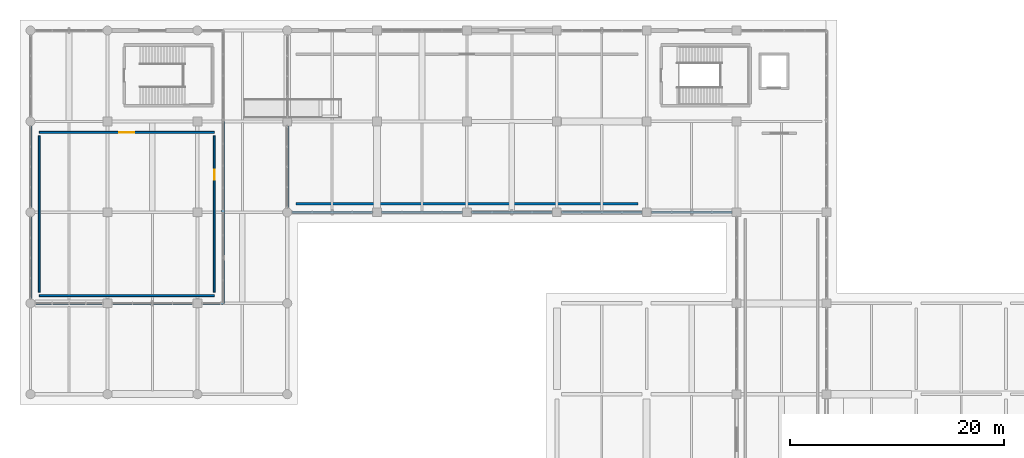
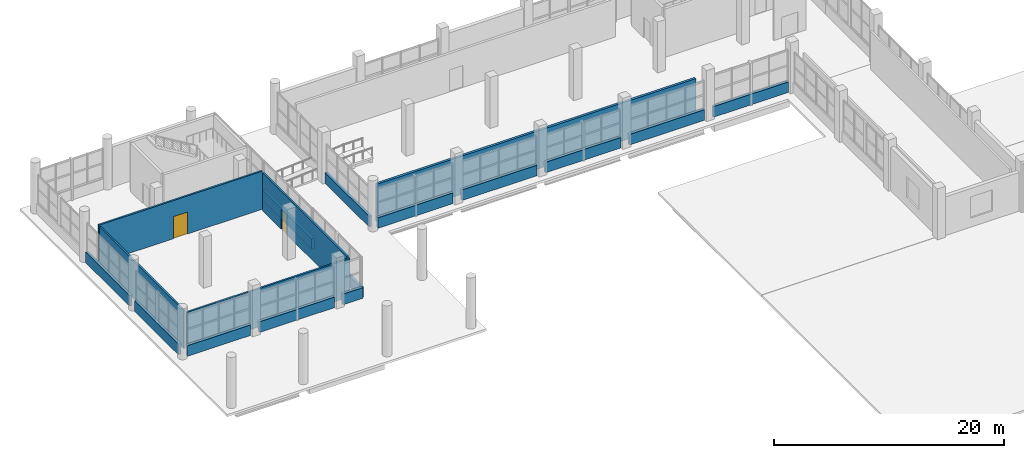
# One storey, part 88 of 107: 18 walls, 2 doors, 2 openings.
"""IFC4 building model written with IfcOpenShell, lengths in metres."""

import ifcopenshell
import ifcopenshell.guid

model = None  # the IFC model being written
_history = None  # IfcOwnerHistory: only IFC2X3 demands one
_inside = {}  # id of a spatial element -> (the spatial element, [elements in it])
_under = {}  # id of a project, library or spatial element -> (it, [spatial elements below it])
_declared = {}  # id of a project -> (the project, [libraries it declares])
_typed = {}  # id of a type object -> (the type object, [elements of that type])
_made_of = {}  # id of a material, layer set ... -> (it, [elements and type objects made of it])


def new_model(schema):
    """Start an empty IFC model of exactly this schema.

    Asked for "IFC4X3", IfcOpenShell would pick the latest addendum, in which some entities
    have other attributes; the version numbers below select the first issue.
    IFC2X3 requires an IfcOwnerHistory on every rooted entity: one is made here for all.
    """
    global model, _history
    if schema == "IFC4X3":
        model = ifcopenshell.file(schema_version=(4, 3, 0, 0))
    else:
        model = ifcopenshell.file(schema=schema)
    _inside.clear()
    _under.clear()
    _declared.clear()
    _typed.clear()
    _made_of.clear()
    _history = None
    if model.schema == "IFC2X3":
        org = make("IfcOrganization", Name="unknown")
        user = make(
            "IfcPersonAndOrganization",
            ThePerson=make("IfcPerson", FamilyName="unknown"),
            TheOrganization=org,
        )
        app = make(
            "IfcApplication",
            ApplicationDeveloper=org,
            Version="unknown",
            ApplicationFullName="unknown",
            ApplicationIdentifier="unknown",
        )
        _history = make(
            "IfcOwnerHistory",
            OwningUser=user,
            OwningApplication=app,
            ChangeAction="ADDED",
            CreationDate=0,
        )
    return model


def make(cls, **values):
    """One entity of the class cls with the attributes given. An attribute that is None is left unset."""
    return model.create_entity(
        cls, **{name: value for name, value in values.items() if value is not None}
    )


def rooted(cls, **values):
    """An entity with a GlobalId (a new one), such as an element, a storey or a relation."""
    return make(cls, GlobalId=ifcopenshell.guid.new(), OwnerHistory=_history, **values)


def si_unit(unit_type, name, prefix=None):
    """IfcSIUnit, for example si_unit("LENGTHUNIT", "METRE", prefix="MILLI")."""
    return make("IfcSIUnit", UnitType=unit_type, Prefix=prefix, Name=name)


def assignment(units):
    """IfcUnitAssignment: the units of a project."""
    return None if units is None else make("IfcUnitAssignment", Units=units)


def point(xyz):
    """IfcCartesianPoint."""
    return None if xyz is None else make("IfcCartesianPoint", Coordinates=xyz)


def direction(xyz):
    """IfcDirection."""
    return None if xyz is None else make("IfcDirection", DirectionRatios=xyz)


def frame(location, z_axis=None, x_axis=None):
    """IfcAxis2Placement3D, a coordinate frame: its origin and axes. An axis left out is left unset."""
    return make(
        "IfcAxis2Placement3D",
        Location=point(location),
        Axis=direction(z_axis),
        RefDirection=direction(x_axis),
    )


def frame_2d(location, x_axis=None):
    """IfcAxis2Placement2D, a coordinate frame in the plane: its origin and x axis."""
    return make(
        "IfcAxis2Placement2D", Location=point(location), RefDirection=direction(x_axis)
    )


def origin():
    """The frame at (0, 0, 0) with its axes left unset."""
    return frame((0.0, 0.0, 0.0))


def place(relative_to, where):
    """IfcLocalPlacement: puts the frame where relative to a parent placement (None: the world)."""
    return make(
        "IfcLocalPlacement", PlacementRelTo=relative_to, RelativePlacement=where
    )


def context(
    kind, dimensions, precision=None, world=None, true_north=None, identifier=None
):
    """IfcGeometricRepresentationContext, for example the 3D "Model" context."""
    return make(
        "IfcGeometricRepresentationContext",
        ContextIdentifier=identifier,
        ContextType=kind,
        CoordinateSpaceDimension=dimensions,
        Precision=precision,
        WorldCoordinateSystem=world,
        TrueNorth=true_north,
    )


def subcontext(parent, identifier, kind, view, scale=None):
    """IfcGeometricRepresentationSubContext, for example "Body" below "Model"."""
    return make(
        "IfcGeometricRepresentationSubContext",
        ContextIdentifier=identifier,
        ContextType=kind,
        ParentContext=parent,
        TargetScale=scale,
        TargetView=view,
    )


def project(units=None, contexts=None):
    """IfcProject with its units and contexts."""
    return rooted(
        "IfcProject",
        Name="project",
        RepresentationContexts=contexts,
        UnitsInContext=assignment(units),
    )


def spatial(cls, under=None, at=None, **own):
    """A site, building, storey or space (cls), placed at a placement, below another one or the project."""
    s = rooted(cls, ObjectPlacement=at, **own)
    if under is not None:
        _under.setdefault(under.id(), (under, []))[1].append(s)
    return s


def profile(cls, at=None, kind="AREA", **sizes):
    """A parametric profile (cls). Its sizes go by their IFC names, for example OverallWidth=200.0."""
    return make(cls, ProfileType=kind, Position=at, **sizes)


def rectangle(**sizes):
    """IfcRectangleProfileDef."""
    return profile("IfcRectangleProfileDef", **sizes)


def extrude(swept, where, along, depth):
    """IfcExtrudedAreaSolid: the profile swept, set in the frame where, extruded along a direction by depth."""
    return make(
        "IfcExtrudedAreaSolid",
        SweptArea=swept,
        Position=where,
        ExtrudedDirection=direction(along),
        Depth=depth,
    )


def shape(context_of_items, identifier, shape_type, items):
    """IfcShapeRepresentation: the items that make up one representation, for example the "Body"."""
    return make(
        "IfcShapeRepresentation",
        ContextOfItems=context_of_items,
        RepresentationIdentifier=identifier,
        RepresentationType=shape_type,
        Items=items,
    )


def material(Name=None, Category=None):
    """IfcMaterial."""
    return make("IfcMaterial", Name=Name, Category=Category)


def layer(
    of_material, thickness, ventilated=None, Name=None, Category=None, Priority=None
):
    """IfcMaterialLayer: one layer of a wall or slab, of a material (None: an air gap)."""
    return make(
        "IfcMaterialLayer",
        Material=of_material,
        LayerThickness=thickness,
        IsVentilated=ventilated,
        Name=Name,
        Category=Category,
        Priority=Priority,
    )


def layer_set(layers, Name=None):
    """IfcMaterialLayerSet."""
    return make("IfcMaterialLayerSet", MaterialLayers=layers, LayerSetName=Name)


def made_of(thing, what):
    """Note that an element or type object is made of a material, layer set ...; save() writes the relation."""
    if what is not None:
        _made_of.setdefault(what.id(), (what, []))[1].append(thing)
    return thing


def type_object(cls, material=None, **own):
    """A type object (cls), such as IfcWallType, which elements share."""
    return made_of(rooted(cls, **own), material)


def element(
    cls,
    number,
    at=None,
    inside=None,
    cuts=None,
    type_object=None,
    material=None,
    context=None,
    identifier="Body",
    shape_type=None,
    held_by="IfcProductDefinitionShape",
    body=None,
    shapes=None,
    **own,
):
    """One element of the class cls, such as IfcWall. Its Tag is "e" and its number.

    at: its placement. inside: the storey or other place that contains it. cuts: it is an
    opening in that element (IfcRelVoidsElement). A single representation is given by context,
    identifier, shape_type and body (its items); several are given by shapes. held_by: the class
    of the entity that holds the representations. save() writes the other relations.
    """
    e = rooted(cls, Tag="e%d" % number, ObjectPlacement=at, **own)
    if body is not None:
        shapes = [shape(context, identifier, shape_type, body)]
    if shapes is not None:
        e.Representation = make(held_by, Representations=shapes)
    if inside is not None:
        _inside.setdefault(inside.id(), (inside, []))[1].append(e)
    if cuts is not None:
        rooted(
            "IfcRelVoidsElement", RelatingBuildingElement=cuts, RelatedOpeningElement=e
        )
    if type_object is not None:
        _typed.setdefault(type_object.id(), (type_object, []))[1].append(e)
    return made_of(e, material)


def fill(opening, filler):
    """IfcRelFillsElement: the door or window that sits in an opening."""
    return rooted(
        "IfcRelFillsElement",
        RelatingOpeningElement=opening,
        RelatedBuildingElement=filler,
    )


def aggregate(whole, parts):
    """IfcRelAggregates: a whole, such as a stair, and the parts it consists of."""
    return rooted("IfcRelAggregates", RelatingObject=whole, RelatedObjects=parts)


def save(model, path):
    """Write the relations noted so far, then the file.

    IfcRelAggregates (storeys below a building ...), IfcRelContainedInSpatialStructure (elements
    in a storey), IfcRelDefinesByType, IfcRelAssociatesMaterial and IfcRelDeclares: one each for
    every whole, place, type object, material and project.
    """
    for whole, parts in _under.values():
        aggregate(whole, parts)
    for where, things in _inside.values():
        rooted(
            "IfcRelContainedInSpatialStructure",
            RelatedElements=things,
            RelatingStructure=where,
        )
    for kind, things in _typed.values():
        rooted("IfcRelDefinesByType", RelatedObjects=things, RelatingType=kind)
    for what, things in _made_of.values():
        rooted("IfcRelAssociatesMaterial", RelatedObjects=things, RelatingMaterial=what)
    for by, libraries in _declared.values():
        rooted("IfcRelDeclares", RelatingContext=by, RelatedDefinitions=libraries)
    model.write(path)


model = new_model("IFC4")

# Units and contexts
model_context = context("Model", 3, precision=1e-05, world=origin(), true_north=direction((0.0, 1.0)))
body_context = subcontext(model_context, "Body", "Model", "MODEL_VIEW")
ifc_project = project(units=[si_unit("LENGTHUNIT", "METRE"), si_unit("AREAUNIT", "SQUARE_METRE"), si_unit("VOLUMEUNIT", "CUBIC_METRE"), si_unit("PLANEANGLEUNIT", "RADIAN"), si_unit("MASSUNIT", "GRAM", prefix="KILO")], contexts=[model_context])

# Site, building, storey
site_placement = place(None, origin())
site = spatial("IfcSite", under=ifc_project, at=site_placement, CompositionType="ELEMENT")
building_placement = place(site_placement, origin())
building = spatial("IfcBuilding", under=site, at=building_placement, Name="Solvento Point Concert Hall", CompositionType="ELEMENT")
storey_placement = place(building_placement, origin())
storey = spatial("IfcBuildingStorey", under=building, at=storey_placement, Name="L00", CompositionType="ELEMENT", Elevation=0.0)

# Wall, opening, door
ifc_material_1 = material(Name="Acoustic Double-Stud Gypsum Partition")
ifc_layer_1 = layer(ifc_material_1, 0.179931640625)
ifc_layer_set_1 = layer_set([ifc_layer_1], Name="Acoustic Double-Stud Gypsum Partition")
wall_type_1 = type_object("IfcWallType", Name="AcousticPartition_180", PredefinedType="PARTITIONING", material=ifc_layer_set_1)
wall_1_placement = place(storey_placement, frame((0.820068359375, 126.47998046875, 0.0), z_axis=(0.0, 0.0, 1.0), x_axis=(1.0, 0.0, 0.0)))
wall_1 = element("IfcWall", 1, at=wall_1_placement, inside=storey, type_object=wall_type_1, Name="Interior acoustic partition PW-63 L00", PredefinedType="PARTITIONING", context=body_context, shape_type="SweptSolid", body=[
    extrude(rectangle(XDim=16.35986328125, YDim=0.179931640625, at=frame_2d((8.179931640625, 0.0))), origin(), (0.0, 0.0, 1.0), 4.0400390625),
])
opening_1_placement = place(wall_1_placement, frame((7.469970703125, 0.0, 0.0)))
opening_1 = element("IfcOpeningElement", 2, at=opening_1_placement, cuts=wall_1, Name="Opening DR-81", PredefinedType="OPENING", context=body_context, shape_type="SweptSolid", body=[
    extrude(rectangle(XDim=1.419921875, YDim=2.340087890625, at=frame_2d((0.7099609375, 1.169921875))), frame((0.0, 0.099853515625, 0.0), z_axis=(0.0, -1.0, 0.0), x_axis=(1.0, 0.0, 0.0)), (0.0, 0.0, 1.0), 0.199951171875),
])
ifc_material_2 = material(Name="Brazilian Hardwood Acoustic Door", Category="wood")
door_type_1 = type_object("IfcDoorType", Name="IntDoor_CanteenGreenRm", OperationType="NOTDEFINED", PredefinedType="DOOR", material=ifc_material_2)
door_1_placement = place(opening_1_placement, origin())
door_1 = element("IfcDoor", 3, at=door_1_placement, inside=storey, type_object=door_type_1, Name="Interior door DR-81 L00", OperationType="SINGLE_SWING_RIGHT", OverallHeight=2.340087890625, OverallWidth=1.419921875, PredefinedType="DOOR", context=body_context, shape_type="SweptSolid", body=[
    extrude(rectangle(XDim=1.419921875, YDim=2.340087890625, at=frame_2d((0.7099609375, 1.169921875))), frame((0.0, 0.02490234375, 0.0), z_axis=(0.0, -1.0, 0.0), x_axis=(1.0, 0.0, 0.0)), (0.0, 0.0, 1.0), 0.050048828125),
])
fill(opening_1, door_1)

# Wall
wall_2_placement = place(storey_placement, frame((17.179931640625, 111.219970703125, 0.0), z_axis=(0.0, 0.0, 1.0), x_axis=(-1.0, 0.0, 0.0)))
element("IfcWall", 4, at=wall_2_placement, inside=storey, type_object=wall_type_1, Name="Interior acoustic partition PW-63 L00", PredefinedType="PARTITIONING", context=body_context, shape_type="SweptSolid", body=[
    extrude(rectangle(XDim=16.35986328125, YDim=0.179931640625, at=frame_2d((8.179931640625, 0.0))), origin(), (0.0, 0.0, 1.0), 4.0400390625),
])

# Wall, opening, door
wall_3_placement = place(storey_placement, frame((17.179931640625, 126.159912109375, 0.0), z_axis=(0.0, 0.0, 1.0), x_axis=(0.0, -1.0, 0.0)))
wall_3 = element("IfcWall", 5, at=wall_3_placement, inside=storey, type_object=wall_type_1, Name="Interior acoustic partition PW-63 L00", PredefinedType="PARTITIONING", context=body_context, shape_type="SweptSolid", body=[
    extrude(rectangle(XDim=14.619873046875, YDim=0.179931640625, at=frame_2d((7.31005859375, 0.0))), origin(), (0.0, 0.0, 1.0), 4.0400390625),
])
opening_2_placement = place(wall_3_placement, frame((3.199951171875, 0.0, 0.0)))
opening_2 = element("IfcOpeningElement", 6, at=opening_2_placement, cuts=wall_3, Name="Opening DR-46", PredefinedType="OPENING", context=body_context, shape_type="SweptSolid", body=[
    extrude(rectangle(XDim=0.919921875, YDim=2.1201171875, at=frame_2d((0.4599609375, 1.06005859375))), frame((0.0, 0.099853515625, 0.0), z_axis=(0.0, -1.0, 0.0), x_axis=(1.0, 0.0, 0.0)), (0.0, 0.0, 1.0), 0.199951171875),
])
ifc_material_3 = material(Name="Brazilian Hardwood Acoustic Door", Category="wood")
door_type_2 = type_object("IfcDoorType", Name="IntDoor_AccessibleWC", OperationType="NOTDEFINED", PredefinedType="DOOR", material=ifc_material_3)
door_2_placement = place(opening_2_placement, origin())
door_2 = element("IfcDoor", 7, at=door_2_placement, inside=storey, type_object=door_type_2, Name="Interior door DR-46 L00", OperationType="SINGLE_SWING_LEFT", OverallHeight=2.1201171875, OverallWidth=0.919921875, PredefinedType="DOOR", context=body_context, shape_type="SweptSolid", body=[
    extrude(rectangle(XDim=0.919921875, YDim=2.1201171875, at=frame_2d((0.4599609375, 1.06005859375))), frame((0.0, 0.02490234375, 0.0), z_axis=(0.0, -1.0, 0.0), x_axis=(1.0, 0.0, 0.0)), (0.0, 0.0, 1.0), 0.050048828125),
])
fill(opening_2, door_2)

# Walls
wall_4_placement = place(storey_placement, frame((0.820068359375, 111.5400390625, 0.0), z_axis=(0.0, 0.0, 1.0), x_axis=(0.0, 1.0, 0.0)))
element("IfcWall", 8, at=wall_4_placement, inside=storey, type_object=wall_type_1, Name="Interior acoustic partition PW-63 L00", PredefinedType="PARTITIONING", context=body_context, shape_type="SweptSolid", body=[
    extrude(rectangle(XDim=14.619873046875, YDim=0.179931640625, at=frame_2d((7.31005859375, 0.0))), origin(), (0.0, 0.0, 1.0), 4.0400390625),
])
ifc_material_4 = material(Name="Acoustic Double-Stud Gypsum Partition")
ifc_layer_2 = layer(ifc_material_4, 0.2451171875)
ifc_layer_set_2 = layer_set([ifc_layer_2], Name="Acoustic Double-Stud Gypsum Partition")
wall_type_2 = type_object("IfcWallType", Name="AcousticPartition_245", PredefinedType="PARTITIONING", material=ifc_layer_set_2)
wall_5_placement = place(storey_placement, frame((56.780029296875, 119.820068359375, 0.0), z_axis=(0.0, 0.0, 1.0), x_axis=(-1.0, 0.0, 0.0)))
element("IfcWall", 9, at=wall_5_placement, inside=storey, type_object=wall_type_2, Name="Interior acoustic partition PW-28 L00", PredefinedType="PARTITIONING", context=body_context, shape_type="SweptSolid", body=[
    extrude(rectangle(XDim=31.9599609375, YDim=0.2451171875, at=frame_2d((15.97998046875, 0.0))), origin(), (0.0, 0.0, 1.0), 4.0400390625),
])
ifc_material_5 = material(Name="Concrete C40/50", Category="concrete")
ifc_layer_3 = layer(ifc_material_5, 0.260009765625)
ifc_layer_set_3 = layer_set([ifc_layer_3], Name="Concrete C40/50")
wall_type_3 = type_object("IfcWallType", Name="Parapet_Ring_260", PredefinedType="PARAPET", material=ifc_layer_set_3)
wall_6_placement = place(storey_placement, frame((31.969970703125, 119.0, 0.0), z_axis=(0.0, 0.0, 1.0), x_axis=(-1.0, 0.0, 0.0)))
element("IfcWall", 10, at=wall_6_placement, inside=storey, type_object=wall_type_3, Name="Sliding elliptical white concrete ring spandrel PR-01 L00", PredefinedType="PARAPET", context=body_context, shape_type="SweptSolid", body=[
    extrude(rectangle(XDim=7.52490234375, YDim=0.260009765625, at=frame_2d((3.762451171875, 0.0))), origin(), (0.0, 0.0, 1.0), 1.1201171875),
])
for number, where, z_axis, x_axis, name in (
    (11, (40.3701171875, 119.0, 0.0), (0.0, 0.0, 1.0), (-1.0, 0.0, 0.0), "Sliding elliptical white concrete ring spandrel PR-01 L00"),
    (12, (48.77001953125, 119.0, 0.0), (0.0, 0.0, 1.0), (-1.0, 0.0, 0.0), "Sliding elliptical white concrete ring spandrel PR-01 L00"),
    (13, (57.169921875, 119.0, 0.0), (0.0, 0.0, 1.0), (-1.0, 0.0, 0.0), "Sliding elliptical white concrete ring spandrel PR-01 L00"),
    (14, (65.570068359375, 119.0, 0.0), (0.0, 0.0, 1.0), (-1.0, 0.0, 0.0), "Sliding elliptical white concrete ring spandrel PR-01 L00"),
):
    element("IfcWall", number, at=place(storey_placement, frame(where, z_axis=z_axis, x_axis=x_axis)), inside=storey, type_object=wall_type_3, Name=name, PredefinedType="PARAPET", context=body_context, shape_type="SweptSolid", body=[
        extrude(rectangle(XDim=7.5400390625, YDim=0.260009765625, at=frame_2d((3.77001953125, 0.0))), origin(), (0.0, 0.0, 1.0), 1.1201171875),
    ])
wall_7_placement = place(storey_placement, frame((24.0, 119.445068359375, 0.0), z_axis=(0.0, 0.0, 1.0), x_axis=(0.0, 1.0, 0.0)))
element("IfcWall", 15, at=wall_7_placement, inside=storey, type_object=wall_type_3, Name="Sliding elliptical white concrete ring spandrel PR-01 L00", PredefinedType="PARAPET", context=body_context, shape_type="SweptSolid", body=[
    extrude(rectangle(XDim=7.625, YDim=0.260009765625, at=frame_2d((3.8125, 0.0))), origin(), (0.0, 0.0, 1.0), 1.1201171875),
])
for number, where, z_axis, x_axis, name in (
    (16, (18.0, 119.0, 0.0), (0.0, 0.0, 1.0), (0.0, -1.0, 0.0), "Sliding elliptical white concrete ring spandrel PR-01 L00"),
    (17, (18.0, 127.5, 0.0), (0.0, 0.0, 1.0), (0.0, -1.0, 0.0), "Sliding elliptical white concrete ring spandrel PR-01 L00"),
):
    element("IfcWall", number, at=place(storey_placement, frame(where, z_axis=z_axis, x_axis=x_axis)), inside=storey, type_object=wall_type_3, Name=name, PredefinedType="PARAPET", context=body_context, shape_type="SweptSolid", body=[
        extrude(rectangle(XDim=8.5, YDim=0.260009765625, at=frame_2d((4.25, 0.0))), origin(), (0.0, 0.0, 1.0), 1.1201171875),
    ])
wall_8_placement = place(storey_placement, frame((6.77001953125, 110.5, 0.0), z_axis=(0.0, 0.0, 1.0), x_axis=(-1.0, 0.0, 0.0)))
element("IfcWall", 18, at=wall_8_placement, inside=storey, type_object=wall_type_3, Name="Sliding elliptical white concrete ring spandrel PR-01 L00", PredefinedType="PARAPET", context=body_context, shape_type="SweptSolid", body=[
    extrude(rectangle(XDim=6.324951171875, YDim=0.260009765625, at=frame_2d((3.16259765625, 0.0))), origin(), (0.0, 0.0, 1.0), 1.1201171875),
])
wall_9_placement = place(storey_placement, frame((15.169921875, 110.5, 0.0), z_axis=(0.0, 0.0, 1.0), x_axis=(-1.0, 0.0, 0.0)))
element("IfcWall", 19, at=wall_9_placement, inside=storey, type_object=wall_type_3, Name="Sliding elliptical white concrete ring spandrel PR-01 L00", PredefinedType="PARAPET", context=body_context, shape_type="SweptSolid", body=[
    extrude(rectangle(XDim=7.5400390625, YDim=0.260009765625, at=frame_2d((3.77001953125, 0.0))), origin(), (0.0, 0.0, 1.0), 1.1201171875),
])
wall_10_placement = place(storey_placement, frame((18.0, 110.5, 0.0), z_axis=(0.0, 0.0, 1.0), x_axis=(-1.0, 0.0, 0.0)))
element("IfcWall", 20, at=wall_10_placement, inside=storey, type_object=wall_type_3, Name="Sliding elliptical white concrete ring spandrel PR-01 L00", PredefinedType="PARAPET", context=body_context, shape_type="SweptSolid", body=[
    extrude(rectangle(XDim=1.969970703125, YDim=0.260009765625, at=frame_2d((0.98486328125, 0.0))), origin(), (0.0, 0.0, 1.0), 1.1201171875),
])
for number, where, z_axis, x_axis, name in (
    (21, (0.0, 110.945068359375, 0.0), (0.0, 0.0, 1.0), (0.0, 1.0, 0.0), "Sliding elliptical white concrete ring spandrel PR-01 L00"),
    (22, (0.0, 119.445068359375, 0.0), (0.0, 0.0, 1.0), (0.0, 1.0, 0.0), "Sliding elliptical white concrete ring spandrel PR-01 L00"),
):
    element("IfcWall", number, at=place(storey_placement, frame(where, z_axis=z_axis, x_axis=x_axis)), inside=storey, type_object=wall_type_3, Name=name, PredefinedType="PARAPET", context=body_context, shape_type="SweptSolid", body=[
        extrude(rectangle(XDim=7.60986328125, YDim=0.260009765625, at=frame_2d((3.804931640625, 0.0))), origin(), (0.0, 0.0, 1.0), 1.1201171875),
    ])

save(model, "model.ifc")
